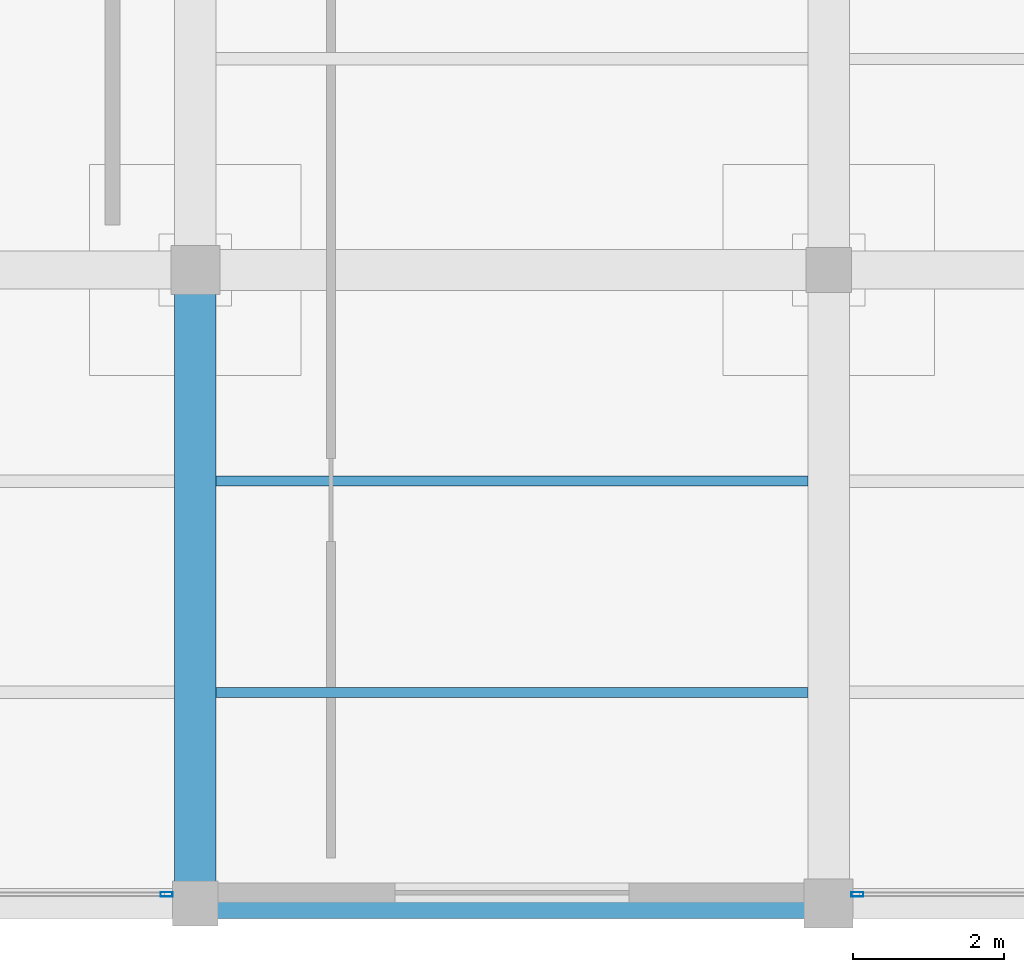
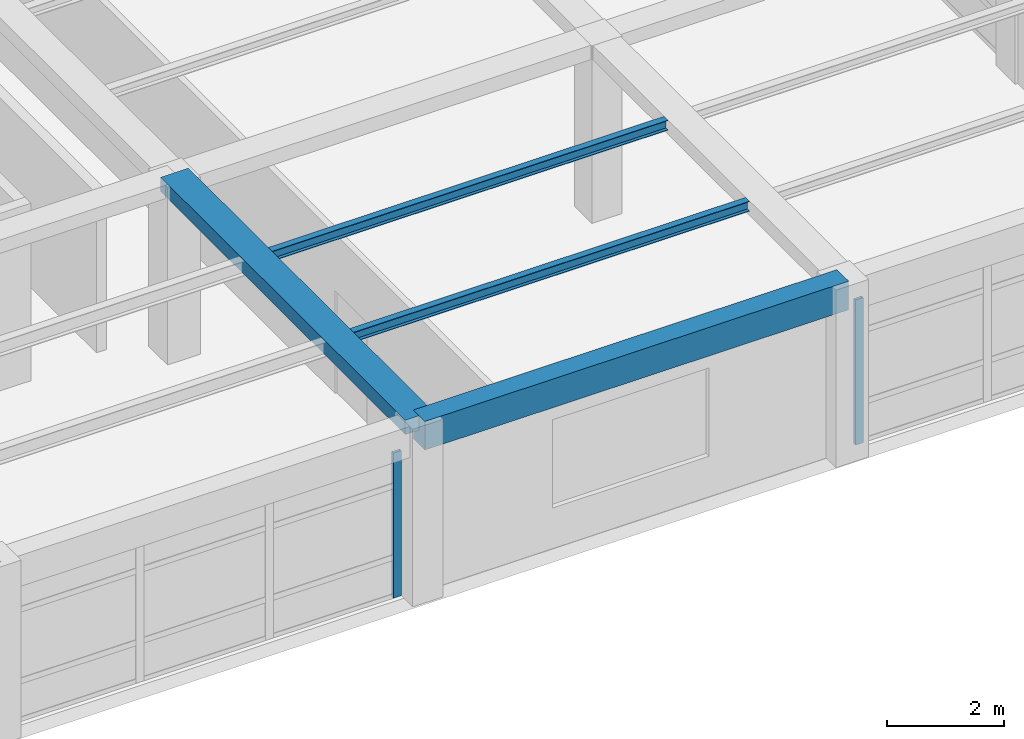
# One storey, part 9 of 26: 4 beams, 2 members, 2 elements without a shape of their own.
"""IFC4 building model written with IfcOpenShell, lengths in metres."""

from ifc_helpers import new_model, si_unit, direction, frame, origin, origin_2d, place, context, subcontext, project, spatial, rectangle, hollow_rectangle, i_section, extrude, material, material_profile, profile_set, type_object, element, aggregate, save


model = new_model("IFC4")

# Units and contexts
model_context = context("Model", 3, precision=1e-05, world=origin(), true_north=direction((0.0, 1.0)))
body_context = subcontext(model_context, "Body", "Model", "MODEL_VIEW")
ifc_project = project(units=[si_unit("LENGTHUNIT", "METRE"), si_unit("AREAUNIT", "SQUARE_METRE"), si_unit("VOLUMEUNIT", "CUBIC_METRE"), si_unit("PLANEANGLEUNIT", "RADIAN"), si_unit("MASSUNIT", "GRAM", prefix="KILO")], contexts=[model_context])

# Site, building, storey
site_placement = place(None, origin())
site = spatial("IfcSite", under=ifc_project, at=site_placement, CompositionType="ELEMENT")
building_placement = place(site_placement, origin())
building = spatial("IfcBuilding", under=site, at=building_placement, Name="Almacenes y Pasaje Nevantli", CompositionType="ELEMENT")
storey_placement = place(building_placement, frame((0.0, 0.0, 42.699951171875)))
storey = spatial("IfcBuildingStorey", under=building, at=storey_placement, Name="L10", CompositionType="ELEMENT", Elevation=42.699951171875)

# Beams
ifc_material_1 = material(Name="Concrete C35/45", Category="concrete")
ifc_material_profile_1 = material_profile(ifc_material_1, rectangle(XDim=0.39990234375, YDim=0.60009765625, at=origin_2d()), Name="RC-BM-400x600")
ifc_profile_set_1 = profile_set([ifc_material_profile_1], Name="Concrete C35/45")
beam_type_1 = type_object("IfcBeamType", Name="BM-RC-400x600", PredefinedType="SPANDREL", material=ifc_profile_set_1)
beam_1_placement = place(storey_placement, frame((142.800048828125, 67.199951171875, 3.420166015625), z_axis=(1.0, 0.0, 0.0), x_axis=(0.0, 1.0, 0.0)))
element("IfcBeam", 1, at=beam_1_placement, inside=storey, type_object=beam_type_1, Name="L10 East-West Reinforced Concrete Beam #3800", PredefinedType="SPANDREL", context=body_context, shape_type="SweptSolid", body=[
    extrude(rectangle(XDim=0.39990234375, YDim=0.60009765625, at=origin_2d()), origin(), (0.0, 0.0, 1.0), 8.39990234375),
])
ifc_material_2 = material(Name="Concrete C35/45", Category="concrete")
ifc_material_profile_2 = material_profile(ifc_material_2, rectangle(XDim=0.550048828125, YDim=0.300048828125, at=origin_2d()), Name="RC-BM-550x300")
ifc_profile_set_2 = profile_set([ifc_material_profile_2], Name="Concrete C35/45")
beam_type_2 = type_object("IfcBeamType", Name="BM-RC-550x300", PredefinedType="BEAM", material=ifc_profile_set_2)
beam_2_placement = place(storey_placement, frame((142.800048828125, 67.199951171875, 3.570068359375), z_axis=(0.0, 1.0, 0.0), x_axis=(-1.0, 0.0, 0.0)))
element("IfcBeam", 2, at=beam_2_placement, inside=storey, type_object=beam_type_2, Name="L10 North-South Reinforced Concrete Beam #3832", PredefinedType="BEAM", context=body_context, shape_type="SweptSolid", body=[
    extrude(rectangle(XDim=0.550048828125, YDim=0.300048828125, at=origin_2d()), origin(), (0.0, 0.0, 1.0), 8.400146484375),
])
ifc_material_3 = material(Name="Steel ASTM A992", Category="steel")
ifc_material_profile_3 = material_profile(ifc_material_3, i_section(OverallWidth=0.134033203125, OverallDepth=0.2099609375, WebThickness=0.00634765625, FlangeThickness=0.01025390625, at=origin_2d()), Name="IR 203x31.3")
ifc_profile_set_3 = profile_set([ifc_material_profile_3], Name="Steel ASTM A992")
beam_type_3 = type_object("IfcBeamType", Name="BM-STL-IR-203x31p3", PredefinedType="JOIST", material=ifc_profile_set_3)
for number, where, z_axis, x_axis, name in (
    (3, (143.074951171875, 70.0, 3.60693359375), (1.0, 0.0, 0.0), (0.0, 1.0, 0.0), "L10 Secondary Steel Floor Joist #1499"),
    (4, (143.074951171875, 72.800048828125, 3.60693359375), (1.0, 0.0, 0.0), (0.0, 1.0, 0.0), "L10 Secondary Steel Floor Joist #1500"),
):
    element("IfcBeam", number, at=place(storey_placement, frame(where, z_axis=z_axis, x_axis=x_axis)), inside=storey, type_object=beam_type_3, Name=name, PredefinedType="JOIST", context=body_context, shape_type="SweptSolid", body=[
        extrude(i_section(OverallWidth=0.134033203125, OverallDepth=0.2099609375, WebThickness=0.00634765625, FlangeThickness=0.01025390625, at=origin_2d()), origin(), (0.0, 0.0, 1.0), 7.85009765625),
    ])

# Curtain wall, member
ifc_material_4 = material(Name="Thermally Broken Aluminium and Low-E Glass", Category="aluminium")
curtain_wall_type = type_object("IfcCurtainWallType", Name="CW-UNIT-TOWER", PredefinedType="USERDEFINED", material=ifc_material_4)
curtain_wall_1_placement = place(storey_placement, origin())
curtain_wall_1 = element("IfcCurtainWall", 5, at=curtain_wall_1_placement, inside=storey, type_object=curtain_wall_type, Name="L10 Tower South Unitized Curtain Wall Bay 17", ObjectType="UNITIZED CURTAIN WALL", PredefinedType="USERDEFINED")
ifc_material_5 = material(Name="Thermally Broken Anodized Aluminium", Category="aluminium")
ifc_material_profile_4 = material_profile(ifc_material_5, hollow_rectangle(XDim=0.06005859375, YDim=0.159912109375, WallThickness=0.00390625, at=origin_2d()), Name="ALU-MUL-60x160")
ifc_profile_set_4 = profile_set([ifc_material_profile_4], Name="Thermally Broken Anodized Aluminium")
member_type = type_object("IfcMemberType", Name="CW-MUL-180", PredefinedType="MULLION", material=ifc_profile_set_4)
member_1_placement = place(storey_placement, frame((142.419921875, 67.320068359375, 0.0), z_axis=(0.0, 0.0, 1.0), x_axis=(0.0, 1.0, 0.0)))
member_1 = element("IfcMember", 6, at=member_1_placement, type_object=member_type, Name="CW-L10-143 mullion 4", PredefinedType="MULLION", context=body_context, shape_type="SweptSolid", body=[
    extrude(hollow_rectangle(XDim=0.06005859375, YDim=0.159912109375, WallThickness=0.00390625, at=origin_2d()), origin(), (0.0, 0.0, 1.0), 3.0400390625),
])
aggregate(curtain_wall_1, [member_1])

curtain_wall_2_placement = place(storey_placement, origin())
curtain_wall_2 = element("IfcCurtainWall", 7, at=curtain_wall_2_placement, inside=storey, type_object=curtain_wall_type, Name="L10 Tower South Unitized Curtain Wall Bay 19", ObjectType="UNITIZED CURTAIN WALL", PredefinedType="USERDEFINED")
member_2_placement = place(storey_placement, frame((151.580078125, 67.320068359375, 0.0), z_axis=(0.0, 0.0, 1.0), x_axis=(0.0, 1.0, 0.0)))
member_2 = element("IfcMember", 8, at=member_2_placement, type_object=member_type, Name="CW-L10-145 mullion 1", PredefinedType="MULLION", context=body_context, shape_type="SweptSolid", body=[
    extrude(hollow_rectangle(XDim=0.06005859375, YDim=0.159912109375, WallThickness=0.00390625, at=origin_2d()), origin(), (0.0, 0.0, 1.0), 3.0400390625),
])
aggregate(curtain_wall_2, [member_2])

save(model, "model.ifc")
